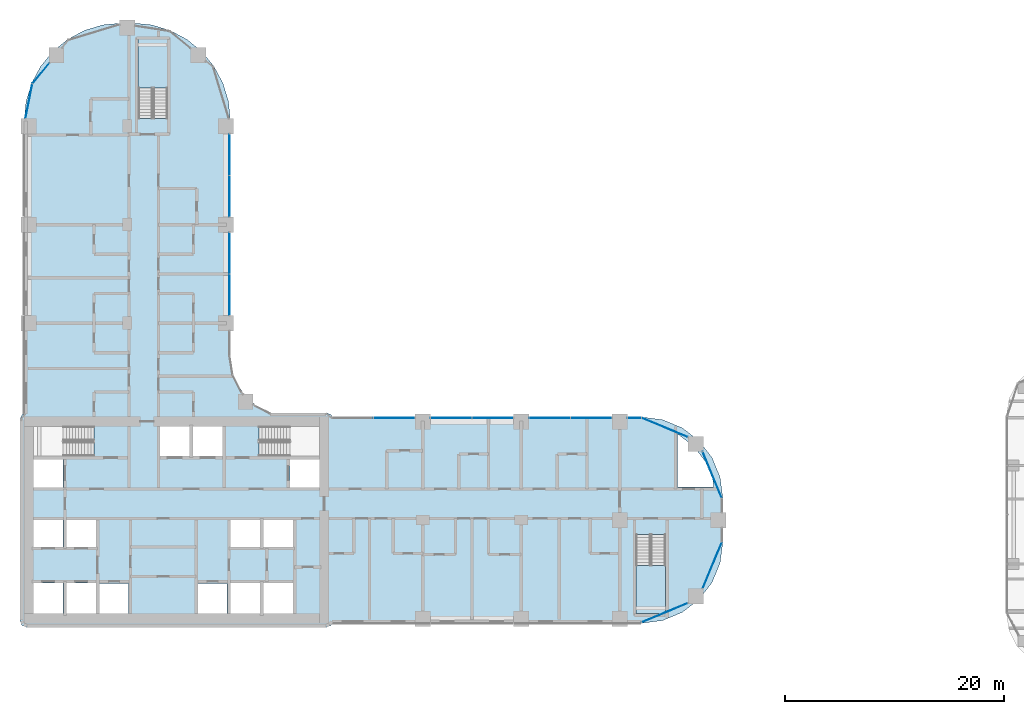
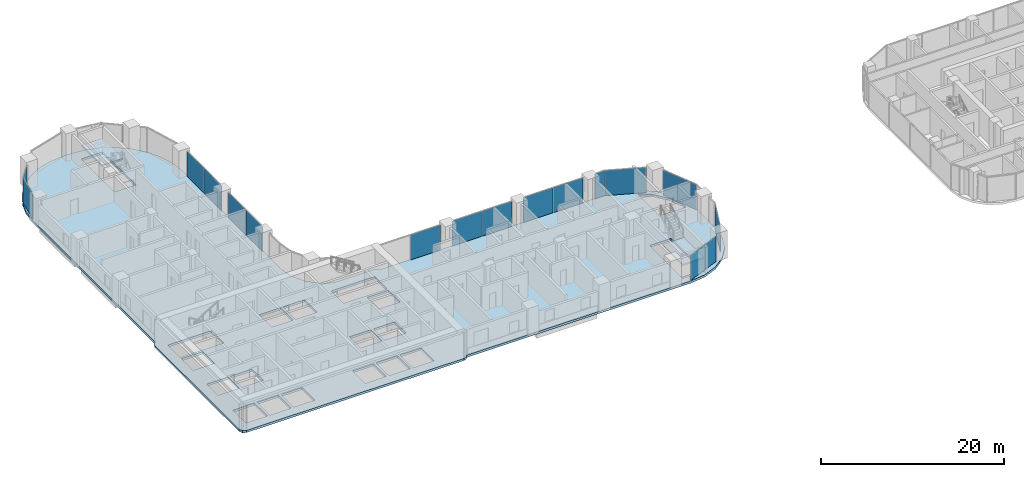
# One storey, part 13 of 31: 16 plates, 3 slabs, 13 elements without a shape of their own.
"""IFC4 building model written with IfcOpenShell, lengths in metres."""

import ifcopenshell
import ifcopenshell.guid

model = None  # the IFC model being written
_history = None  # IfcOwnerHistory: only IFC2X3 demands one
_inside = {}  # id of a spatial element -> (the spatial element, [elements in it])
_under = {}  # id of a project, library or spatial element -> (it, [spatial elements below it])
_declared = {}  # id of a project -> (the project, [libraries it declares])
_typed = {}  # id of a type object -> (the type object, [elements of that type])
_made_of = {}  # id of a material, layer set ... -> (it, [elements and type objects made of it])


def new_model(schema):
    """Start an empty IFC model of exactly this schema.

    Asked for "IFC4X3", IfcOpenShell would pick the latest addendum, in which some entities
    have other attributes; the version numbers below select the first issue.
    IFC2X3 requires an IfcOwnerHistory on every rooted entity: one is made here for all.
    """
    global model, _history
    if schema == "IFC4X3":
        model = ifcopenshell.file(schema_version=(4, 3, 0, 0))
    else:
        model = ifcopenshell.file(schema=schema)
    _inside.clear()
    _under.clear()
    _declared.clear()
    _typed.clear()
    _made_of.clear()
    _history = None
    if model.schema == "IFC2X3":
        org = make("IfcOrganization", Name="unknown")
        user = make(
            "IfcPersonAndOrganization",
            ThePerson=make("IfcPerson", FamilyName="unknown"),
            TheOrganization=org,
        )
        app = make(
            "IfcApplication",
            ApplicationDeveloper=org,
            Version="unknown",
            ApplicationFullName="unknown",
            ApplicationIdentifier="unknown",
        )
        _history = make(
            "IfcOwnerHistory",
            OwningUser=user,
            OwningApplication=app,
            ChangeAction="ADDED",
            CreationDate=0,
        )
    return model


def make(cls, **values):
    """One entity of the class cls with the attributes given. An attribute that is None is left unset."""
    return model.create_entity(
        cls, **{name: value for name, value in values.items() if value is not None}
    )


def rooted(cls, **values):
    """An entity with a GlobalId (a new one), such as an element, a storey or a relation."""
    return make(cls, GlobalId=ifcopenshell.guid.new(), OwnerHistory=_history, **values)


def si_unit(unit_type, name, prefix=None):
    """IfcSIUnit, for example si_unit("LENGTHUNIT", "METRE", prefix="MILLI")."""
    return make("IfcSIUnit", UnitType=unit_type, Prefix=prefix, Name=name)


def assignment(units):
    """IfcUnitAssignment: the units of a project."""
    return None if units is None else make("IfcUnitAssignment", Units=units)


def point(xyz):
    """IfcCartesianPoint."""
    return None if xyz is None else make("IfcCartesianPoint", Coordinates=xyz)


def direction(xyz):
    """IfcDirection."""
    return None if xyz is None else make("IfcDirection", DirectionRatios=xyz)


def frame(location, z_axis=None, x_axis=None):
    """IfcAxis2Placement3D, a coordinate frame: its origin and axes. An axis left out is left unset."""
    return make(
        "IfcAxis2Placement3D",
        Location=point(location),
        Axis=direction(z_axis),
        RefDirection=direction(x_axis),
    )


def frame_2d(location, x_axis=None):
    """IfcAxis2Placement2D, a coordinate frame in the plane: its origin and x axis."""
    return make(
        "IfcAxis2Placement2D", Location=point(location), RefDirection=direction(x_axis)
    )


def origin():
    """The frame at (0, 0, 0) with its axes left unset."""
    return frame((0.0, 0.0, 0.0))


def origin_2d():
    """The frame at (0, 0) in the plane with its x axis left unset."""
    return frame_2d((0.0, 0.0))


def place(relative_to, where):
    """IfcLocalPlacement: puts the frame where relative to a parent placement (None: the world)."""
    return make(
        "IfcLocalPlacement", PlacementRelTo=relative_to, RelativePlacement=where
    )


def context(
    kind, dimensions, precision=None, world=None, true_north=None, identifier=None
):
    """IfcGeometricRepresentationContext, for example the 3D "Model" context."""
    return make(
        "IfcGeometricRepresentationContext",
        ContextIdentifier=identifier,
        ContextType=kind,
        CoordinateSpaceDimension=dimensions,
        Precision=precision,
        WorldCoordinateSystem=world,
        TrueNorth=true_north,
    )


def subcontext(parent, identifier, kind, view, scale=None):
    """IfcGeometricRepresentationSubContext, for example "Body" below "Model"."""
    return make(
        "IfcGeometricRepresentationSubContext",
        ContextIdentifier=identifier,
        ContextType=kind,
        ParentContext=parent,
        TargetScale=scale,
        TargetView=view,
    )


def project(units=None, contexts=None):
    """IfcProject with its units and contexts."""
    return rooted(
        "IfcProject",
        Name="project",
        RepresentationContexts=contexts,
        UnitsInContext=assignment(units),
    )


def spatial(cls, under=None, at=None, **own):
    """A site, building, storey or space (cls), placed at a placement, below another one or the project."""
    s = rooted(cls, ObjectPlacement=at, **own)
    if under is not None:
        _under.setdefault(under.id(), (under, []))[1].append(s)
    return s


def polyline(points):
    """IfcPolyline through the points."""
    return make("IfcPolyline", Points=[point(p) for p in points])


def profile(cls, at=None, kind="AREA", **sizes):
    """A parametric profile (cls). Its sizes go by their IFC names, for example OverallWidth=200.0."""
    return make(cls, ProfileType=kind, Position=at, **sizes)


def rectangle(**sizes):
    """IfcRectangleProfileDef."""
    return profile("IfcRectangleProfileDef", **sizes)


def outline(outer, holes=None, kind="AREA"):
    """IfcArbitraryClosedProfileDef: a profile drawn as a closed curve; with holes, ...WithVoids."""
    if holes is None:
        return make("IfcArbitraryClosedProfileDef", ProfileType=kind, OuterCurve=outer)
    return make(
        "IfcArbitraryProfileDefWithVoids",
        ProfileType=kind,
        OuterCurve=outer,
        InnerCurves=holes,
    )


def extrude(swept, where, along, depth):
    """IfcExtrudedAreaSolid: the profile swept, set in the frame where, extruded along a direction by depth."""
    return make(
        "IfcExtrudedAreaSolid",
        SweptArea=swept,
        Position=where,
        ExtrudedDirection=direction(along),
        Depth=depth,
    )


def shape(context_of_items, identifier, shape_type, items):
    """IfcShapeRepresentation: the items that make up one representation, for example the "Body"."""
    return make(
        "IfcShapeRepresentation",
        ContextOfItems=context_of_items,
        RepresentationIdentifier=identifier,
        RepresentationType=shape_type,
        Items=items,
    )


def material(Name=None, Category=None):
    """IfcMaterial."""
    return make("IfcMaterial", Name=Name, Category=Category)


def layer(
    of_material, thickness, ventilated=None, Name=None, Category=None, Priority=None
):
    """IfcMaterialLayer: one layer of a wall or slab, of a material (None: an air gap)."""
    return make(
        "IfcMaterialLayer",
        Material=of_material,
        LayerThickness=thickness,
        IsVentilated=ventilated,
        Name=Name,
        Category=Category,
        Priority=Priority,
    )


def layer_set(layers, Name=None):
    """IfcMaterialLayerSet."""
    return make("IfcMaterialLayerSet", MaterialLayers=layers, LayerSetName=Name)


def made_of(thing, what):
    """Note that an element or type object is made of a material, layer set ...; save() writes the relation."""
    if what is not None:
        _made_of.setdefault(what.id(), (what, []))[1].append(thing)
    return thing


def type_object(cls, material=None, **own):
    """A type object (cls), such as IfcWallType, which elements share."""
    return made_of(rooted(cls, **own), material)


def element(
    cls,
    number,
    at=None,
    inside=None,
    cuts=None,
    type_object=None,
    material=None,
    context=None,
    identifier="Body",
    shape_type=None,
    held_by="IfcProductDefinitionShape",
    body=None,
    shapes=None,
    **own,
):
    """One element of the class cls, such as IfcWall. Its Tag is "e" and its number.

    at: its placement. inside: the storey or other place that contains it. cuts: it is an
    opening in that element (IfcRelVoidsElement). A single representation is given by context,
    identifier, shape_type and body (its items); several are given by shapes. held_by: the class
    of the entity that holds the representations. save() writes the other relations.
    """
    e = rooted(cls, Tag="e%d" % number, ObjectPlacement=at, **own)
    if body is not None:
        shapes = [shape(context, identifier, shape_type, body)]
    if shapes is not None:
        e.Representation = make(held_by, Representations=shapes)
    if inside is not None:
        _inside.setdefault(inside.id(), (inside, []))[1].append(e)
    if cuts is not None:
        rooted(
            "IfcRelVoidsElement", RelatingBuildingElement=cuts, RelatedOpeningElement=e
        )
    if type_object is not None:
        _typed.setdefault(type_object.id(), (type_object, []))[1].append(e)
    return made_of(e, material)


def aggregate(whole, parts):
    """IfcRelAggregates: a whole, such as a stair, and the parts it consists of."""
    return rooted("IfcRelAggregates", RelatingObject=whole, RelatedObjects=parts)


def save(model, path):
    """Write the relations noted so far, then the file.

    IfcRelAggregates (storeys below a building ...), IfcRelContainedInSpatialStructure (elements
    in a storey), IfcRelDefinesByType, IfcRelAssociatesMaterial and IfcRelDeclares: one each for
    every whole, place, type object, material and project.
    """
    for whole, parts in _under.values():
        aggregate(whole, parts)
    for where, things in _inside.values():
        rooted(
            "IfcRelContainedInSpatialStructure",
            RelatedElements=things,
            RelatingStructure=where,
        )
    for kind, things in _typed.values():
        rooted("IfcRelDefinesByType", RelatedObjects=things, RelatingType=kind)
    for what, things in _made_of.values():
        rooted("IfcRelAssociatesMaterial", RelatedObjects=things, RelatingMaterial=what)
    for by, libraries in _declared.values():
        rooted("IfcRelDeclares", RelatingContext=by, RelatedDefinitions=libraries)
    model.write(path)


model = new_model("IFC4")

# Units and contexts
model_context = context("Model", 3, precision=1e-05, world=origin(), true_north=direction((0.0, 1.0)))
body_context = subcontext(model_context, "Body", "Model", "MODEL_VIEW")
ifc_project = project(units=[si_unit("LENGTHUNIT", "METRE"), si_unit("AREAUNIT", "SQUARE_METRE"), si_unit("VOLUMEUNIT", "CUBIC_METRE"), si_unit("PLANEANGLEUNIT", "RADIAN"), si_unit("MASSUNIT", "GRAM", prefix="KILO")], contexts=[model_context])

# Site, building, storey
site_placement = place(None, origin())
site = spatial("IfcSite", under=ifc_project, at=site_placement, CompositionType="ELEMENT")
building_placement = place(site_placement, origin())
building = spatial("IfcBuilding", under=site, at=building_placement, Name="Ogive Portal Towers", CompositionType="ELEMENT")
storey_placement = place(building_placement, frame((0.0, 0.0, 40.89990234375)))
storey = spatial("IfcBuildingStorey", under=building, at=storey_placement, Name="L08", CompositionType="ELEMENT", Elevation=40.89990234375)

# Curtain wall, plates
ifc_material_1 = material(Name="Glass, clear low-iron insulated glazing", Category="glass")
curtain_wall_type = type_object("IfcCurtainWallType", Name="CW FRONT RIBBON 4500", PredefinedType="NOTDEFINED", material=ifc_material_1)
curtain_wall_1_placement = place(storey_placement, origin())
curtain_wall_1 = element("IfcCurtainWall", 1, at=curtain_wall_1_placement, inside=storey, type_object=curtain_wall_type, Name="A:L08:f06:cw0~1", PredefinedType="NOTDEFINED")
ifc_layer_1 = layer(ifc_material_1, 0.028076171875)
ifc_layer_set_1 = layer_set([ifc_layer_1], Name="CW PANEL IGU 28")
plate_type = type_object("IfcPlateType", Name="CW PANEL IGU 28", PredefinedType="CURTAIN_PANEL", material=ifc_layer_set_1)
plate_1_placement = place(storey_placement, frame((49.844970703125, 51.10009765625, 0.0), z_axis=(0.0, 0.0, 1.0), x_axis=(0.0, 1.0, 0.0)))
plate_1 = element("IfcPlate", 2, at=plate_1_placement, type_object=plate_type, Name="panel", PredefinedType="CURTAIN_PANEL", context=body_context, shape_type="SweptSolid", body=[
    extrude(rectangle(XDim=3.739990234375, YDim=0.028076171875, at=origin_2d()), origin(), (0.0, 0.0, 1.0), 3.340087890625),
])
plate_2_placement = place(storey_placement, frame((49.844970703125, 54.89990234375, 0.0), z_axis=(0.0, 0.0, 1.0), x_axis=(0.0, 1.0, 0.0)))
plate_2 = element("IfcPlate", 3, at=plate_2_placement, type_object=plate_type, Name="panel", PredefinedType="CURTAIN_PANEL", context=body_context, shape_type="SweptSolid", body=[
    extrude(rectangle(XDim=3.739990234375, YDim=0.028076171875, at=origin_2d()), origin(), (0.0, 0.0, 1.0), 3.340087890625),
])
aggregate(curtain_wall_1, [plate_1, plate_2])

curtain_wall_2_placement = place(storey_placement, origin())
curtain_wall_2 = element("IfcCurtainWall", 4, at=curtain_wall_2_placement, inside=storey, type_object=curtain_wall_type, Name="A:L08:f06:cw0~2", PredefinedType="NOTDEFINED")
plate_3_placement = place(storey_placement, frame((49.844970703125, 60.10009765625, 0.0), z_axis=(0.0, 0.0, 1.0), x_axis=(0.0, 1.0, 0.0)))
plate_3 = element("IfcPlate", 5, at=plate_3_placement, type_object=plate_type, Name="panel", PredefinedType="CURTAIN_PANEL", context=body_context, shape_type="SweptSolid", body=[
    extrude(rectangle(XDim=3.739990234375, YDim=0.028076171875, at=origin_2d()), origin(), (0.0, 0.0, 1.0), 3.340087890625),
])
plate_4_placement = place(storey_placement, frame((49.844970703125, 63.89990234375, 0.0), z_axis=(0.0, 0.0, 1.0), x_axis=(0.0, 1.0, 0.0)))
plate_4 = element("IfcPlate", 6, at=plate_4_placement, type_object=plate_type, Name="panel", PredefinedType="CURTAIN_PANEL", context=body_context, shape_type="SweptSolid", body=[
    extrude(rectangle(XDim=3.739990234375, YDim=0.028076171875, at=origin_2d()), origin(), (0.0, 0.0, 1.0), 3.340087890625),
])
aggregate(curtain_wall_2, [plate_3, plate_4])

# Curtain wall, plate
curtain_wall_3_placement = place(storey_placement, origin())
curtain_wall_3 = element("IfcCurtainWall", 7, at=curtain_wall_3_placement, inside=storey, type_object=curtain_wall_type, Name="A:L08:f27:cw0~0", PredefinedType="NOTDEFINED")
plate_5_placement = place(storey_placement, frame((86.842041015625, 39.844970703125, 0.0), z_axis=(0.0, 0.0, 1.0), x_axis=(-1.0, 0.0, 0.0)))
plate_5 = element("IfcPlate", 8, at=plate_5_placement, type_object=plate_type, Name="panel", PredefinedType="CURTAIN_PANEL", context=body_context, shape_type="SweptSolid", body=[
    extrude(rectangle(XDim=1.22412109375, YDim=0.028076171875, at=origin_2d()), origin(), (0.0, 0.0, 1.0), 3.340087890625),
])
aggregate(curtain_wall_3, [plate_5])

# Curtain wall, plates
curtain_wall_4_placement = place(storey_placement, origin())
curtain_wall_4 = element("IfcCurtainWall", 9, at=curtain_wall_4_placement, inside=storey, type_object=curtain_wall_type, Name="A:L08:f27:cw0~1", PredefinedType="NOTDEFINED")
plate_6_placement = place(storey_placement, frame((82.89990234375, 39.844970703125, 0.0), z_axis=(0.0, 0.0, 1.0), x_axis=(-1.0, 0.0, 0.0)))
plate_6 = element("IfcPlate", 10, at=plate_6_placement, type_object=plate_type, Name="panel", PredefinedType="CURTAIN_PANEL", context=body_context, shape_type="SweptSolid", body=[
    extrude(rectangle(XDim=3.739990234375, YDim=0.028076171875, at=origin_2d()), origin(), (0.0, 0.0, 1.0), 3.340087890625),
])
plate_7_placement = place(storey_placement, frame((79.10009765625, 39.844970703125, 0.0), z_axis=(0.0, 0.0, 1.0), x_axis=(-1.0, 0.0, 0.0)))
plate_7 = element("IfcPlate", 11, at=plate_7_placement, type_object=plate_type, Name="panel", PredefinedType="CURTAIN_PANEL", context=body_context, shape_type="SweptSolid", body=[
    extrude(rectangle(XDim=3.739990234375, YDim=0.028076171875, at=origin_2d()), origin(), (0.0, 0.0, 1.0), 3.340087890625),
])
aggregate(curtain_wall_4, [plate_6, plate_7])

curtain_wall_5_placement = place(storey_placement, origin())
curtain_wall_5 = element("IfcCurtainWall", 12, at=curtain_wall_5_placement, inside=storey, type_object=curtain_wall_type, Name="A:L08:f27:cw0~2", PredefinedType="NOTDEFINED")
plate_8_placement = place(storey_placement, frame((73.89990234375, 39.844970703125, 0.0), z_axis=(0.0, 0.0, 1.0), x_axis=(-1.0, 0.0, 0.0)))
plate_8 = element("IfcPlate", 13, at=plate_8_placement, type_object=plate_type, Name="panel", PredefinedType="CURTAIN_PANEL", context=body_context, shape_type="SweptSolid", body=[
    extrude(rectangle(XDim=3.739990234375, YDim=0.028076171875, at=origin_2d()), origin(), (0.0, 0.0, 1.0), 3.340087890625),
])
plate_9_placement = place(storey_placement, frame((70.10009765625, 39.844970703125, 0.0), z_axis=(0.0, 0.0, 1.0), x_axis=(-1.0, 0.0, 0.0)))
plate_9 = element("IfcPlate", 14, at=plate_9_placement, type_object=plate_type, Name="panel", PredefinedType="CURTAIN_PANEL", context=body_context, shape_type="SweptSolid", body=[
    extrude(rectangle(XDim=3.739990234375, YDim=0.028076171875, at=origin_2d()), origin(), (0.0, 0.0, 1.0), 3.340087890625),
])
aggregate(curtain_wall_5, [plate_8, plate_9])

# Curtain wall, plate
curtain_wall_6_placement = place(storey_placement, origin())
curtain_wall_6 = element("IfcCurtainWall", 15, at=curtain_wall_6_placement, inside=storey, type_object=curtain_wall_type, Name="A:L08:f27:cw0~3", PredefinedType="NOTDEFINED")
plate_10_placement = place(storey_placement, frame((64.89990234375, 39.844970703125, 0.0), z_axis=(0.0, 0.0, 1.0), x_axis=(-1.0, 0.0, 0.0)))
plate_10 = element("IfcPlate", 16, at=plate_10_placement, type_object=plate_type, Name="panel", PredefinedType="CURTAIN_PANEL", context=body_context, shape_type="SweptSolid", body=[
    extrude(rectangle(XDim=3.739990234375, YDim=0.028076171875, at=origin_2d()), origin(), (0.0, 0.0, 1.0), 3.340087890625),
])
aggregate(curtain_wall_6, [plate_10])

# Curtain wall, plates
curtain_wall_7_placement = place(storey_placement, origin())
curtain_wall_7 = element("IfcCurtainWall", 17, at=curtain_wall_7_placement, inside=storey, type_object=curtain_wall_type, Name="A:L08:f07:cwa~3", PredefinedType="NOTDEFINED")
plate_11_placement = place(storey_placement, frame((32.605712890625, 71.32666015625, 0.0), z_axis=(0.0, 0.0, 1.0), x_axis=(-0.634393284164, -0.773010453363, 0.0)))
plate_11 = element("IfcPlate", 18, at=plate_11_placement, type_object=plate_type, Name="panel", PredefinedType="CURTAIN_PANEL", context=body_context, shape_type="SweptSolid", body=[
    extrude(rectangle(XDim=2.388671875, YDim=0.028076171875, at=origin_2d()), origin(), (0.0, 0.0, 1.0), 3.340087890625),
])
plate_12_placement = place(storey_placement, frame((31.5126953125, 68.7900390625, 0.0), z_axis=(0.0, 0.0, 1.0), x_axis=(-0.195090322016, -0.980785280403, 0.0)))
plate_12 = element("IfcPlate", 19, at=plate_12_placement, type_object=plate_type, Name="panel", PredefinedType="CURTAIN_PANEL", context=body_context, shape_type="SweptSolid", body=[
    extrude(rectangle(XDim=3.182373046875, YDim=0.028076171875, at=origin_2d()), origin(), (0.0, 0.0, 1.0), 3.340087890625),
])
aggregate(curtain_wall_7, [plate_11, plate_12])

# Curtain wall, plate
curtain_wall_8_placement = place(storey_placement, origin())
curtain_wall_8 = element("IfcCurtainWall", 20, at=curtain_wall_8_placement, inside=storey, type_object=curtain_wall_type, Name="A:L08:f22:cwa~0", PredefinedType="NOTDEFINED")
plate_13_placement = place(storey_placement, frame((89.616943359375, 22.03857421875, 0.0), z_axis=(0.0, 0.0, 1.0), x_axis=(0.923879532511, 0.382683432365, 0.0)))
plate_13 = element("IfcPlate", 21, at=plate_13_placement, type_object=plate_type, Name="panel", PredefinedType="CURTAIN_PANEL", context=body_context, shape_type="SweptSolid", body=[
    extrude(rectangle(XDim=4.557373046875, YDim=0.028076171875, at=origin_2d()), origin(), (0.0, 0.0, 1.0), 3.340087890625),
])
aggregate(curtain_wall_8, [plate_13])

curtain_wall_9_placement = place(storey_placement, origin())
curtain_wall_9 = element("IfcCurtainWall", 22, at=curtain_wall_9_placement, inside=storey, type_object=curtain_wall_type, Name="A:L08:f22:cwa~1", PredefinedType="NOTDEFINED")
plate_14_placement = place(storey_placement, frame((93.96142578125, 26.383056640625, 0.0), z_axis=(0.0, 0.0, 1.0), x_axis=(0.382683432365, 0.923879532511, 0.0)))
plate_14 = element("IfcPlate", 23, at=plate_14_placement, type_object=plate_type, Name="panel", PredefinedType="CURTAIN_PANEL", context=body_context, shape_type="SweptSolid", body=[
    extrude(rectangle(XDim=4.557373046875, YDim=0.028076171875, at=origin_2d()), origin(), (0.0, 0.0, 1.0), 3.340087890625),
])
aggregate(curtain_wall_9, [plate_14])

curtain_wall_10_placement = place(storey_placement, origin())
curtain_wall_10 = element("IfcCurtainWall", 24, at=curtain_wall_10_placement, inside=storey, type_object=curtain_wall_type, Name="A:L08:f25:cwa~0", PredefinedType="NOTDEFINED")
plate_15_placement = place(storey_placement, frame((93.96142578125, 34.616943359375, 0.0), z_axis=(0.0, 0.0, 1.0), x_axis=(-0.382683432365, 0.923879532511, 0.0)))
plate_15 = element("IfcPlate", 25, at=plate_15_placement, type_object=plate_type, Name="panel", PredefinedType="CURTAIN_PANEL", context=body_context, shape_type="SweptSolid", body=[
    extrude(rectangle(XDim=4.557373046875, YDim=0.028076171875, at=origin_2d()), origin(), (0.0, 0.0, 1.0), 3.340087890625),
])
aggregate(curtain_wall_10, [plate_15])

curtain_wall_11_placement = place(storey_placement, origin())
curtain_wall_11 = element("IfcCurtainWall", 26, at=curtain_wall_11_placement, inside=storey, type_object=curtain_wall_type, Name="A:L08:f25:cwa~1", PredefinedType="NOTDEFINED")
plate_16_placement = place(storey_placement, frame((89.616943359375, 38.96142578125, 0.0), z_axis=(0.0, 0.0, 1.0), x_axis=(-0.923879532511, 0.382683432365, 0.0)))
plate_16 = element("IfcPlate", 27, at=plate_16_placement, type_object=plate_type, Name="panel", PredefinedType="CURTAIN_PANEL", context=body_context, shape_type="SweptSolid", body=[
    extrude(rectangle(XDim=4.557373046875, YDim=0.028076171875, at=origin_2d()), origin(), (0.0, 0.0, 1.0), 3.340087890625),
])
aggregate(curtain_wall_11, [plate_16])

# Stair, slab
ifc_material_2 = material(Name="Concrete C40/50", Category="concrete")
stair_type = type_object("IfcStairType", Name="INT-STAIR", PredefinedType="HALF_TURN_STAIR", material=ifc_material_2)
stair_1_placement = place(storey_placement, origin())
stair_1 = element("IfcStair", 28, at=stair_1_placement, inside=storey, type_object=stair_type, Name="L08 Exit Stair ST-A3", PredefinedType="HALF_TURN_STAIR")
ifc_layer_2 = layer(ifc_material_2, 0.199951171875)
ifc_layer_set_2 = layer_set([ifc_layer_2], Name="INT-LANDING")
slab_type_1 = type_object("IfcSlabType", Name="INT-LANDING", PredefinedType="LANDING", material=ifc_layer_set_2)
slab_1_placement = place(storey_placement, frame((0.0, 0.0, 1.650146484375)))
slab_1 = element("IfcSlab", 29, at=slab_1_placement, type_object=slab_type_1, Name="ST-A3 landing 1", PredefinedType="LANDING", context=body_context, shape_type="SweptSolid", body=[
    extrude(outline(polyline([(44.199951171875, 70.0), (44.199951171875, 74.449951171875), (41.5, 74.449951171875), (41.5, 70.0), (44.199951171875, 70.0)])), origin(), (0.0, 0.0, 1.0), 0.199951171875),
])
aggregate(stair_1, [slab_1])

stair_2_placement = place(storey_placement, origin())
stair_2 = element("IfcStair", 30, at=stair_2_placement, inside=storey, type_object=stair_type, Name="L08 Exit Stair ST-A4", PredefinedType="HALF_TURN_STAIR")
slab_2_placement = place(storey_placement, frame((0.0, 0.0, 1.650146484375)))
slab_2 = element("IfcSlab", 31, at=slab_2_placement, type_object=slab_type_1, Name="ST-A4 landing 1", PredefinedType="LANDING", context=body_context, shape_type="SweptSolid", body=[
    extrude(outline(polyline([(87.0, 26.3701171875), (87.0, 21.949951171875), (89.699951171875, 21.949951171875), (89.699951171875, 26.3701171875), (87.0, 26.3701171875)])), origin(), (0.0, 0.0, 1.0), 0.199951171875),
])
aggregate(stair_2, [slab_2])

# Slab
ifc_material_3 = material(Name="Concrete C45/55", Category="concrete")
ifc_layer_3 = layer(ifc_material_3, 0.300048828125)
ifc_layer_set_3 = layer_set([ifc_layer_3], Name="PT FLAT PLATE 300")
slab_type_2 = type_object("IfcSlabType", Name="PT FLAT PLATE 300", PredefinedType="FLOOR", material=ifc_layer_set_3)
slab_3_placement = place(storey_placement, frame((0.0, 0.0, -0.2998046875)))
element("IfcSlab", 32, at=slab_3_placement, inside=storey, type_object=slab_type_2, Name="Floor slab L08", PredefinedType="FLOOR", context=body_context, shape_type="SweptSolid", body=[
    extrude(outline(polyline([(89.421630859375, 39.672119140625), (87.5, 39.925048828125), (59.206787109375, 39.925048828125), (59.124267578125, 40.124267578125), (58.699951171875, 40.300048828125), (53.576904296875, 40.300048828125), (52.22314453125, 40.98974609375), (50.98974609375, 42.22314453125), (50.197998046875, 43.777099609375), (49.925048828125, 45.5), (49.925048828125, 67.0), (49.75341796875, 68.7412109375), (49.24560546875, 70.415283203125), (48.4208984375, 71.95849609375), (47.310791015625, 73.310791015625), (45.95849609375, 74.4208984375), (44.415283203125, 75.24560546875), (42.7412109375, 75.75341796875), (41.0, 75.925048828125), (40.0, 75.925048828125), (38.2587890625, 75.75341796875), (36.584716796875, 75.24560546875), (35.04150390625, 74.4208984375), (33.689208984375, 73.310791015625), (32.5791015625, 71.95849609375), (31.75439453125, 70.415283203125), (31.24658203125, 68.7412109375), (31.074951171875, 67.0), (31.074951171875, 40.206787109375), (30.875732421875, 40.124267578125), (30.699951171875, 39.699951171875), (30.699951171875, 21.300048828125), (30.875732421875, 20.875732421875), (31.300048828125, 20.699951171875), (58.699951171875, 20.699951171875), (59.124267578125, 20.875732421875), (59.206787109375, 21.074951171875), (87.5, 21.074951171875), (89.421630859375, 21.327880859375), (91.21240234375, 22.06982421875), (92.750244140625, 23.249755859375), (93.93017578125, 24.78759765625), (94.672119140625, 26.578369140625), (94.925048828125, 28.5), (94.925048828125, 32.5), (94.672119140625, 34.421630859375), (93.93017578125, 36.21240234375), (92.750244140625, 37.750244140625), (91.21240234375, 38.93017578125), (89.421630859375, 39.672119140625)]), holes=[polyline([(34.64990234375, 24.75), (34.64990234375, 21.949951171875), (31.949951171875, 21.949951171875), (31.949951171875, 24.75), (34.64990234375, 24.75)]), polyline([(37.64990234375, 24.75), (37.64990234375, 21.949951171875), (34.949951171875, 21.949951171875), (34.949951171875, 24.75), (37.64990234375, 24.75)]), polyline([(40.6298828125, 21.969970703125), (37.969970703125, 21.969970703125), (37.969970703125, 24.72998046875), (40.6298828125, 24.72998046875), (40.6298828125, 21.969970703125)]), polyline([(46.969970703125, 21.969970703125), (46.969970703125, 24.72998046875), (49.6298828125, 24.72998046875), (49.6298828125, 21.969970703125), (46.969970703125, 21.969970703125)]), polyline([(34.64990234375, 28.050048828125), (31.949951171875, 28.050048828125), (31.949951171875, 30.5), (34.64990234375, 30.5), (34.64990234375, 28.050048828125)]), polyline([(37.64990234375, 30.5), (37.64990234375, 28.050048828125), (34.949951171875, 28.050048828125), (34.949951171875, 30.5), (37.64990234375, 30.5)]), polyline([(34.64990234375, 36.050048828125), (34.64990234375, 33.5), (31.949951171875, 33.5), (31.949951171875, 36.050048828125), (34.64990234375, 36.050048828125)]), polyline([(31.951904296875, 39.048095703125), (37.447998046875, 39.048095703125), (37.447998046875, 36.35205078125), (31.951904296875, 36.35205078125), (31.951904296875, 39.048095703125)]), polyline([(46.199951171875, 36.35009765625), (43.5, 36.35009765625), (43.5, 39.050048828125), (46.199951171875, 39.050048828125), (46.199951171875, 36.35009765625)]), polyline([(49.199951171875, 36.35009765625), (46.5, 36.35009765625), (46.5, 39.050048828125), (49.199951171875, 39.050048828125), (49.199951171875, 36.35009765625)]), polyline([(44.197998046875, 74.447998046875), (44.197998046875, 67.201904296875), (41.501953125, 67.201904296875), (41.501953125, 74.447998046875), (44.197998046875, 74.447998046875)]), polyline([(52.64990234375, 24.75), (52.64990234375, 21.949951171875), (49.949951171875, 21.949951171875), (49.949951171875, 24.75), (52.64990234375, 24.75)]), polyline([(55.64990234375, 21.949951171875), (52.949951171875, 21.949951171875), (52.949951171875, 24.75), (55.64990234375, 24.75), (55.64990234375, 21.949951171875)]), polyline([(87.001953125, 29.16796875), (89.697998046875, 29.16796875), (89.697998046875, 21.951904296875), (87.001953125, 21.951904296875), (87.001953125, 29.16796875)]), polyline([(52.64990234375, 30.5), (52.64990234375, 28.050048828125), (49.949951171875, 28.050048828125), (49.949951171875, 30.5), (52.64990234375, 30.5)]), polyline([(55.64990234375, 28.050048828125), (52.949951171875, 28.050048828125), (52.949951171875, 30.5), (55.64990234375, 30.5), (55.64990234375, 28.050048828125)]), polyline([(58.050048828125, 36.050048828125), (58.050048828125, 33.5), (55.35009765625, 33.5), (55.35009765625, 36.050048828125), (58.050048828125, 36.050048828125)]), polyline([(93.31884765625, 35.859619140625), (93.989990234375, 34.239013671875), (94.084716796875, 33.52001953125), (90.77001953125, 33.52001953125), (90.77001953125, 38.35595703125), (90.859619140625, 38.31884765625), (92.2509765625, 37.2509765625), (93.31884765625, 35.859619140625)]), polyline([(52.552001953125, 36.35205078125), (52.552001953125, 39.048095703125), (58.048095703125, 39.048095703125), (58.048095703125, 36.35205078125), (52.552001953125, 36.35205078125)])]), origin(), (0.0, 0.0, 1.0), 0.2998046875),
])

save(model, "model.ifc")
